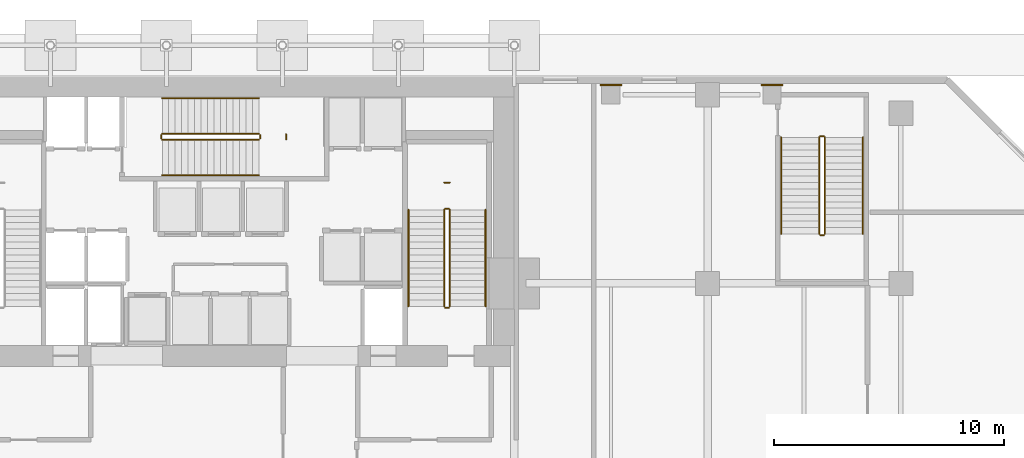
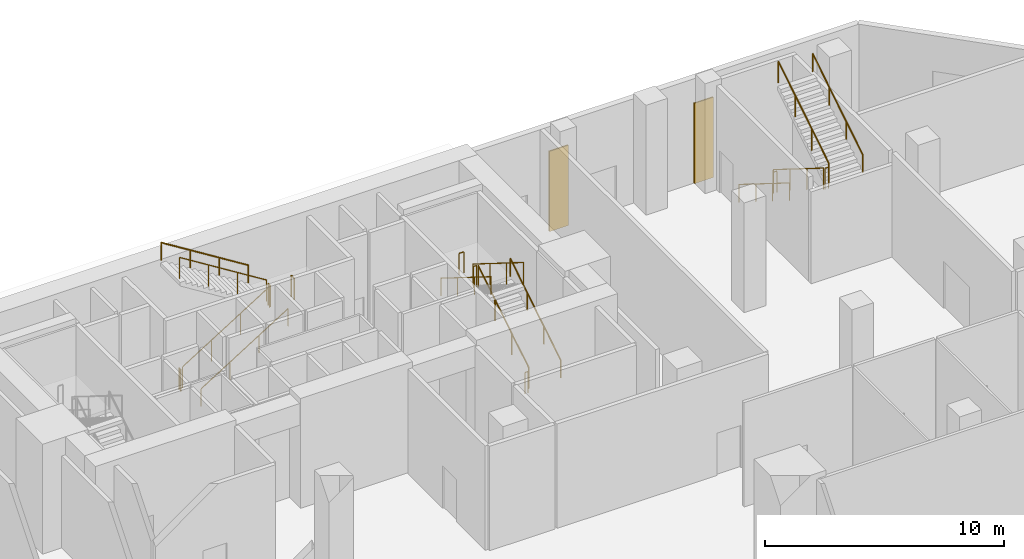
# One storey, part 34 of 35: 20 railings, 2 coverings.
"""IFC4 building model written with IfcOpenShell, lengths in metres."""

import ifcopenshell
import ifcopenshell.guid

model = None  # the IFC model being written
_history = None  # IfcOwnerHistory: only IFC2X3 demands one
_inside = {}  # id of a spatial element -> (the spatial element, [elements in it])
_under = {}  # id of a project, library or spatial element -> (it, [spatial elements below it])
_declared = {}  # id of a project -> (the project, [libraries it declares])
_typed = {}  # id of a type object -> (the type object, [elements of that type])
_made_of = {}  # id of a material, layer set ... -> (it, [elements and type objects made of it])


def new_model(schema):
    """Start an empty IFC model of exactly this schema.

    Asked for "IFC4X3", IfcOpenShell would pick the latest addendum, in which some entities
    have other attributes; the version numbers below select the first issue.
    IFC2X3 requires an IfcOwnerHistory on every rooted entity: one is made here for all.
    """
    global model, _history
    if schema == "IFC4X3":
        model = ifcopenshell.file(schema_version=(4, 3, 0, 0))
    else:
        model = ifcopenshell.file(schema=schema)
    _inside.clear()
    _under.clear()
    _declared.clear()
    _typed.clear()
    _made_of.clear()
    _history = None
    if model.schema == "IFC2X3":
        org = make("IfcOrganization", Name="unknown")
        user = make(
            "IfcPersonAndOrganization",
            ThePerson=make("IfcPerson", FamilyName="unknown"),
            TheOrganization=org,
        )
        app = make(
            "IfcApplication",
            ApplicationDeveloper=org,
            Version="unknown",
            ApplicationFullName="unknown",
            ApplicationIdentifier="unknown",
        )
        _history = make(
            "IfcOwnerHistory",
            OwningUser=user,
            OwningApplication=app,
            ChangeAction="ADDED",
            CreationDate=0,
        )
    return model


def make(cls, **values):
    """One entity of the class cls with the attributes given. An attribute that is None is left unset."""
    return model.create_entity(
        cls, **{name: value for name, value in values.items() if value is not None}
    )


def rooted(cls, **values):
    """An entity with a GlobalId (a new one), such as an element, a storey or a relation."""
    return make(cls, GlobalId=ifcopenshell.guid.new(), OwnerHistory=_history, **values)


def si_unit(unit_type, name, prefix=None):
    """IfcSIUnit, for example si_unit("LENGTHUNIT", "METRE", prefix="MILLI")."""
    return make("IfcSIUnit", UnitType=unit_type, Prefix=prefix, Name=name)


def assignment(units):
    """IfcUnitAssignment: the units of a project."""
    return None if units is None else make("IfcUnitAssignment", Units=units)


def point(xyz):
    """IfcCartesianPoint."""
    return None if xyz is None else make("IfcCartesianPoint", Coordinates=xyz)


def direction(xyz):
    """IfcDirection."""
    return None if xyz is None else make("IfcDirection", DirectionRatios=xyz)


def frame(location, z_axis=None, x_axis=None):
    """IfcAxis2Placement3D, a coordinate frame: its origin and axes. An axis left out is left unset."""
    return make(
        "IfcAxis2Placement3D",
        Location=point(location),
        Axis=direction(z_axis),
        RefDirection=direction(x_axis),
    )


def frame_2d(location, x_axis=None):
    """IfcAxis2Placement2D, a coordinate frame in the plane: its origin and x axis."""
    return make(
        "IfcAxis2Placement2D", Location=point(location), RefDirection=direction(x_axis)
    )


def origin():
    """The frame at (0, 0, 0) with its axes left unset."""
    return frame((0.0, 0.0, 0.0))


def origin_2d():
    """The frame at (0, 0) in the plane with its x axis left unset."""
    return frame_2d((0.0, 0.0))


def place(relative_to, where):
    """IfcLocalPlacement: puts the frame where relative to a parent placement (None: the world)."""
    return make(
        "IfcLocalPlacement", PlacementRelTo=relative_to, RelativePlacement=where
    )


def context(
    kind, dimensions, precision=None, world=None, true_north=None, identifier=None
):
    """IfcGeometricRepresentationContext, for example the 3D "Model" context."""
    return make(
        "IfcGeometricRepresentationContext",
        ContextIdentifier=identifier,
        ContextType=kind,
        CoordinateSpaceDimension=dimensions,
        Precision=precision,
        WorldCoordinateSystem=world,
        TrueNorth=true_north,
    )


def subcontext(parent, identifier, kind, view, scale=None):
    """IfcGeometricRepresentationSubContext, for example "Body" below "Model"."""
    return make(
        "IfcGeometricRepresentationSubContext",
        ContextIdentifier=identifier,
        ContextType=kind,
        ParentContext=parent,
        TargetScale=scale,
        TargetView=view,
    )


def project(units=None, contexts=None):
    """IfcProject with its units and contexts."""
    return rooted(
        "IfcProject",
        Name="project",
        RepresentationContexts=contexts,
        UnitsInContext=assignment(units),
    )


def spatial(cls, under=None, at=None, **own):
    """A site, building, storey or space (cls), placed at a placement, below another one or the project."""
    s = rooted(cls, ObjectPlacement=at, **own)
    if under is not None:
        _under.setdefault(under.id(), (under, []))[1].append(s)
    return s


def profile(cls, at=None, kind="AREA", **sizes):
    """A parametric profile (cls). Its sizes go by their IFC names, for example OverallWidth=200.0."""
    return make(cls, ProfileType=kind, Position=at, **sizes)


def rectangle(**sizes):
    """IfcRectangleProfileDef."""
    return profile("IfcRectangleProfileDef", **sizes)


def circle(**sizes):
    """IfcCircleProfileDef."""
    return profile("IfcCircleProfileDef", **sizes)


def extrude(swept, where, along, depth):
    """IfcExtrudedAreaSolid: the profile swept, set in the frame where, extruded along a direction by depth."""
    return make(
        "IfcExtrudedAreaSolid",
        SweptArea=swept,
        Position=where,
        ExtrudedDirection=direction(along),
        Depth=depth,
    )


def shape(context_of_items, identifier, shape_type, items):
    """IfcShapeRepresentation: the items that make up one representation, for example the "Body"."""
    return make(
        "IfcShapeRepresentation",
        ContextOfItems=context_of_items,
        RepresentationIdentifier=identifier,
        RepresentationType=shape_type,
        Items=items,
    )


def material(Name=None, Category=None):
    """IfcMaterial."""
    return make("IfcMaterial", Name=Name, Category=Category)


def layer(
    of_material, thickness, ventilated=None, Name=None, Category=None, Priority=None
):
    """IfcMaterialLayer: one layer of a wall or slab, of a material (None: an air gap)."""
    return make(
        "IfcMaterialLayer",
        Material=of_material,
        LayerThickness=thickness,
        IsVentilated=ventilated,
        Name=Name,
        Category=Category,
        Priority=Priority,
    )


def layer_set(layers, Name=None):
    """IfcMaterialLayerSet."""
    return make("IfcMaterialLayerSet", MaterialLayers=layers, LayerSetName=Name)


def made_of(thing, what):
    """Note that an element or type object is made of a material, layer set ...; save() writes the relation."""
    if what is not None:
        _made_of.setdefault(what.id(), (what, []))[1].append(thing)
    return thing


def type_object(cls, material=None, **own):
    """A type object (cls), such as IfcWallType, which elements share."""
    return made_of(rooted(cls, **own), material)


def element(
    cls,
    number,
    at=None,
    inside=None,
    cuts=None,
    type_object=None,
    material=None,
    context=None,
    identifier="Body",
    shape_type=None,
    held_by="IfcProductDefinitionShape",
    body=None,
    shapes=None,
    **own,
):
    """One element of the class cls, such as IfcWall. Its Tag is "e" and its number.

    at: its placement. inside: the storey or other place that contains it. cuts: it is an
    opening in that element (IfcRelVoidsElement). A single representation is given by context,
    identifier, shape_type and body (its items); several are given by shapes. held_by: the class
    of the entity that holds the representations. save() writes the other relations.
    """
    e = rooted(cls, Tag="e%d" % number, ObjectPlacement=at, **own)
    if body is not None:
        shapes = [shape(context, identifier, shape_type, body)]
    if shapes is not None:
        e.Representation = make(held_by, Representations=shapes)
    if inside is not None:
        _inside.setdefault(inside.id(), (inside, []))[1].append(e)
    if cuts is not None:
        rooted(
            "IfcRelVoidsElement", RelatingBuildingElement=cuts, RelatedOpeningElement=e
        )
    if type_object is not None:
        _typed.setdefault(type_object.id(), (type_object, []))[1].append(e)
    return made_of(e, material)


def aggregate(whole, parts):
    """IfcRelAggregates: a whole, such as a stair, and the parts it consists of."""
    return rooted("IfcRelAggregates", RelatingObject=whole, RelatedObjects=parts)


def save(model, path):
    """Write the relations noted so far, then the file.

    IfcRelAggregates (storeys below a building ...), IfcRelContainedInSpatialStructure (elements
    in a storey), IfcRelDefinesByType, IfcRelAssociatesMaterial and IfcRelDeclares: one each for
    every whole, place, type object, material and project.
    """
    for whole, parts in _under.values():
        aggregate(whole, parts)
    for where, things in _inside.values():
        rooted(
            "IfcRelContainedInSpatialStructure",
            RelatedElements=things,
            RelatingStructure=where,
        )
    for kind, things in _typed.values():
        rooted("IfcRelDefinesByType", RelatedObjects=things, RelatingType=kind)
    for what, things in _made_of.values():
        rooted("IfcRelAssociatesMaterial", RelatedObjects=things, RelatingMaterial=what)
    for by, libraries in _declared.values():
        rooted("IfcRelDeclares", RelatingContext=by, RelatedDefinitions=libraries)
    model.write(path)


model = new_model("IFC4")

# Units and contexts
model_context = context("Model", 3, precision=1e-05, world=origin(), true_north=direction((0.0, 1.0)))
body_context = subcontext(model_context, "Body", "Model", "MODEL_VIEW")
ifc_project = project(units=[si_unit("LENGTHUNIT", "METRE"), si_unit("AREAUNIT", "SQUARE_METRE"), si_unit("VOLUMEUNIT", "CUBIC_METRE"), si_unit("PLANEANGLEUNIT", "RADIAN"), si_unit("MASSUNIT", "GRAM", prefix="KILO")], contexts=[model_context])

# Site, building, storey
site_placement = place(None, origin())
site = spatial("IfcSite", under=ifc_project, at=site_placement, CompositionType="ELEMENT")
building_placement = place(site_placement, origin())
building = spatial("IfcBuilding", under=site, at=building_placement, Name="Maruvema Waterfront Hotel and Observation Tower", CompositionType="ELEMENT")
storey_placement = place(building_placement, origin())
storey = spatial("IfcBuildingStorey", under=building, at=storey_placement, Name="L00", CompositionType="ELEMENT", Elevation=0.0)

# Coverings
ifc_material_1 = material(Name="Honed Pernambuco warm cream granite", Category="masonry")
ifc_layer = layer(ifc_material_1, 0.044921875, Name="Podium Column Honed Granite Cladding Panel 45 mm")
ifc_layer_set = layer_set([ifc_layer], Name="Honed Pernambuco warm cream granite")
covering_type = type_object("IfcCoveringType", Name="Podium Column Honed Granite Cladding Panel 45 mm", PredefinedType="CLADDING", material=ifc_layer_set)
for number, where, z_axis, x_axis, name in (
    (1, (54.60009765625, 53.6201171875, 0.050048828125), (0.0, 0.0, 1.0), (1.0, 0.0, 0.0), "L00 Landward Pilaster Granite Cladding N3"),
    (2, (61.60009765625, 53.6201171875, 0.050048828125), (0.0, 0.0, 1.0), (1.0, 0.0, 0.0), "L00 Landward Pilaster Granite Cladding N4"),
):
    element("IfcCovering", number, at=place(storey_placement, frame(where, z_axis=z_axis, x_axis=x_axis)), inside=storey, type_object=covering_type, Name=name, PredefinedType="CLADDING", context=body_context, shape_type="SweptSolid", body=[
        extrude(rectangle(XDim=0.919921875, YDim=0.06005859375, at=origin_2d()), origin(), (0.0, 0.0, 1.0), 4.10009765625),
    ])

# Railings
ifc_material_2 = material(Name="Brushed stainless steel Grade 316", Category="steel")
railing_type_1 = type_object("IfcRailingType", Name="Ramp Continuous Wall Handrail 920 mm", PredefinedType="HANDRAIL", material=ifc_material_2)
railing_1_placement = place(storey_placement, frame((35.10009765625, 49.699951171875, 0.175048828125)))
element("IfcRailing", 3, at=railing_1_placement, inside=storey, type_object=railing_type_1, Name="L00 ST-02 stair handrail 1", PredefinedType="HANDRAIL", context=body_context, shape_type="SweptSolid", body=[
    extrude(circle(Radius=0.02392578125, at=origin_2d()), frame((0.0, 0.0, 0.89599609375), z_axis=(0.847995534698, 0.0, 0.530003370869), x_axis=(0.0, 1.0, 0.0)), (0.0, 0.0, 1.0), 4.952880859375),
    extrude(circle(Radius=0.02099609375, at=origin_2d()), origin(), (0.0, 0.0, 1.0), 0.871826171875),
    extrude(circle(Radius=0.02099609375, at=origin_2d()), frame((1.39990234375, 0.0, 0.875)), (0.0, 0.0, 1.0), 0.871826171875),
    extrude(circle(Radius=0.02099609375, at=origin_2d()), frame((2.800048828125, 0.0, 1.75)), (0.0, 0.0, 1.0), 0.871826171875),
    extrude(circle(Radius=0.02099609375, at=origin_2d()), frame((4.199951171875, 0.0, 2.625)), (0.0, 0.0, 1.0), 0.871826171875),
])
railing_2_placement = place(storey_placement, frame((39.300048828125, 53.050048828125, 2.97509765625)))
element("IfcRailing", 4, at=railing_2_placement, inside=storey, type_object=railing_type_1, Name="L00 ST-02 stair handrail 2", PredefinedType="HANDRAIL", context=body_context, shape_type="SweptSolid", body=[
    extrude(circle(Radius=0.02392578125, at=origin_2d()), frame((0.0, 0.0, 0.89599609375), z_axis=(-0.847995534698, 0.0, 0.530003370869), x_axis=(0.0, -1.0, 0.0)), (0.0, 0.0, 1.0), 4.952880859375),
    extrude(circle(Radius=0.02099609375, at=origin_2d()), origin(), (0.0, 0.0, 1.0), 0.871826171875),
    extrude(circle(Radius=0.02099609375, at=origin_2d()), frame((-1.39990234375, 0.0, 0.875)), (0.0, 0.0, 1.0), 0.871826171875),
    extrude(circle(Radius=0.02099609375, at=origin_2d()), frame((-2.800048828125, 0.0, 1.75)), (0.0, 0.0, 1.0), 0.871826171875),
    extrude(circle(Radius=0.02099609375, at=origin_2d()), frame((-4.199951171875, 0.0, 2.625)), (0.0, 0.0, 1.0), 0.871826171875),
])
railing_3_placement = place(storey_placement, frame((49.14990234375, 44.0, 0.175048828125)))
element("IfcRailing", 5, at=railing_3_placement, inside=storey, type_object=railing_type_1, Name="L00 ST-03 stair handrail 1", PredefinedType="HANDRAIL", context=body_context, shape_type="SweptSolid", body=[
    extrude(circle(Radius=0.02392578125, at=origin_2d()), frame((0.0, 0.0, 0.89599609375), z_axis=(0.0, 0.847995534698, 0.530003370869), x_axis=(-1.0, 0.0, 0.0)), (0.0, 0.0, 1.0), 4.952880859375),
    extrude(circle(Radius=0.02099609375, at=origin_2d()), origin(), (0.0, 0.0, 1.0), 0.871826171875),
    extrude(circle(Radius=0.02099609375, at=origin_2d()), frame((0.0, 1.39990234375, 0.875)), (0.0, 0.0, 1.0), 0.871826171875),
    extrude(circle(Radius=0.02099609375, at=origin_2d()), frame((0.0, 2.800048828125, 1.75)), (0.0, 0.0, 1.0), 0.871826171875),
    extrude(circle(Radius=0.02099609375, at=origin_2d()), frame((0.0, 4.199951171875, 2.625)), (0.0, 0.0, 1.0), 0.871826171875),
])
railing_4_placement = place(storey_placement, frame((45.800048828125, 48.199951171875, 2.97509765625)))
element("IfcRailing", 6, at=railing_4_placement, inside=storey, type_object=railing_type_1, Name="L00 ST-03 stair handrail 2", PredefinedType="HANDRAIL", context=body_context, shape_type="SweptSolid", body=[
    extrude(circle(Radius=0.02392578125, at=origin_2d()), frame((0.0, 0.0, 0.89599609375), z_axis=(0.0, -0.847995534698, 0.530003370869), x_axis=(1.0, 0.0, 0.0)), (0.0, 0.0, 1.0), 4.952880859375),
    extrude(circle(Radius=0.02099609375, at=origin_2d()), origin(), (0.0, 0.0, 1.0), 0.871826171875),
    extrude(circle(Radius=0.02099609375, at=origin_2d()), frame((0.0, -1.39990234375, 0.875)), (0.0, 0.0, 1.0), 0.871826171875),
    extrude(circle(Radius=0.02099609375, at=origin_2d()), frame((0.0, -2.800048828125, 1.75)), (0.0, 0.0, 1.0), 0.871826171875),
    extrude(circle(Radius=0.02099609375, at=origin_2d()), frame((0.0, -4.199951171875, 2.625)), (0.0, 0.0, 1.0), 0.871826171875),
])
railing_5_placement = place(storey_placement, frame((62.0, 51.35009765625, 0.175048828125)))
element("IfcRailing", 7, at=railing_5_placement, inside=storey, type_object=railing_type_1, Name="L00 ST-05 stair handrail 1", PredefinedType="HANDRAIL", context=body_context, shape_type="SweptSolid", body=[
    extrude(circle(Radius=0.02392578125, at=origin_2d()), frame((0.0, 0.0, 0.89599609375), z_axis=(0.0, -0.848009380541, 0.529981217134), x_axis=(1.0, 0.0, 0.0)), (0.0, 0.0, 1.0), 4.953125),
    extrude(circle(Radius=0.02099609375, at=origin_2d()), origin(), (0.0, 0.0, 1.0), 0.871826171875),
    extrude(circle(Radius=0.02099609375, at=origin_2d()), frame((0.0, -1.400146484375, 0.875)), (0.0, 0.0, 1.0), 0.871826171875),
    extrude(circle(Radius=0.02099609375, at=origin_2d()), frame((0.0, -2.800048828125, 1.75)), (0.0, 0.0, 1.0), 0.871826171875),
    extrude(circle(Radius=0.02099609375, at=origin_2d()), frame((0.0, -4.2001953125, 2.625)), (0.0, 0.0, 1.0), 0.871826171875),
])
railing_6_placement = place(storey_placement, frame((65.550048828125, 47.14990234375, 2.97509765625)))
element("IfcRailing", 8, at=railing_6_placement, inside=storey, type_object=railing_type_1, Name="L00 ST-05 stair handrail 2", PredefinedType="HANDRAIL", context=body_context, shape_type="SweptSolid", body=[
    extrude(circle(Radius=0.02392578125, at=origin_2d()), frame((0.0, 0.0, 0.89599609375), z_axis=(0.0, 0.848009380541, 0.529981217134), x_axis=(-1.0, 0.0, 0.0)), (0.0, 0.0, 1.0), 4.953125),
    extrude(circle(Radius=0.02099609375, at=origin_2d()), origin(), (0.0, 0.0, 1.0), 0.871826171875),
    extrude(circle(Radius=0.02099609375, at=origin_2d()), frame((0.0, 1.400146484375, 0.875)), (0.0, 0.0, 1.0), 0.871826171875),
    extrude(circle(Radius=0.02099609375, at=origin_2d()), frame((0.0, 2.800048828125, 1.75)), (0.0, 0.0, 1.0), 0.871826171875),
    extrude(circle(Radius=0.02099609375, at=origin_2d()), frame((0.0, 4.2001953125, 2.625)), (0.0, 0.0, 1.0), 0.871826171875),
])
ifc_material_3 = material(Name="Brushed stainless steel Grade 316", Category="steel")
railing_type_2 = type_object("IfcRailingType", Name="Ramp and Terrace Guard Balustrade 1100 mm", PredefinedType="BALUSTRADE", material=ifc_material_3)
railing_7_placement = place(storey_placement, frame((35.10009765625, 51.25, 0.175048828125)))
element("IfcRailing", 9, at=railing_7_placement, inside=storey, type_object=railing_type_2, Name="L00 ST-02 stair guard 1", PredefinedType="BALUSTRADE", context=body_context, shape_type="SweptSolid", body=[
    extrude(circle(Radius=0.02392578125, at=origin_2d()), frame((0.0, 0.0, 1.076171875), z_axis=(0.847995534698, 0.0, 0.530003370869), x_axis=(0.0, 1.0, 0.0)), (0.0, 0.0, 1.0), 4.952880859375),
    extrude(circle(Radius=0.02099609375, at=origin_2d()), origin(), (0.0, 0.0, 1.0), 1.052001953125),
    extrude(circle(Radius=0.02099609375, at=origin_2d()), frame((1.39990234375, 0.0, 0.875)), (0.0, 0.0, 1.0), 1.052001953125),
    extrude(circle(Radius=0.02099609375, at=origin_2d()), frame((2.800048828125, 0.0, 1.75)), (0.0, 0.0, 1.0), 1.052001953125),
    extrude(circle(Radius=0.02099609375, at=origin_2d()), frame((4.199951171875, 0.0, 2.625)), (0.0, 0.0, 1.0), 1.052001953125),
])
railing_8_placement = place(storey_placement, frame((39.35009765625, 51.300048828125, 2.800048828125)))
element("IfcRailing", 10, at=railing_8_placement, inside=storey, type_object=railing_type_2, Name="L00 ST-02 stair guard 2", PredefinedType="BALUSTRADE", context=body_context, shape_type="SweptSolid", body=[
    extrude(circle(Radius=0.02392578125, at=origin_2d()), frame((0.0, 0.0, 1.076171875), z_axis=(0.0, 1.0, 0.0), x_axis=(-1.0, 0.0, 0.0)), (0.0, 0.0, 1.0), 0.14990234375),
    extrude(circle(Radius=0.02099609375, at=origin_2d()), origin(), (0.0, 0.0, 1.0), 1.052001953125),
    extrude(circle(Radius=0.02099609375, at=origin_2d()), frame((0.0, 0.14990234375, 0.0)), (0.0, 0.0, 1.0), 1.052001953125),
])
railing_9_placement = place(storey_placement, frame((39.300048828125, 51.5, 2.97509765625)))
element("IfcRailing", 11, at=railing_9_placement, inside=storey, type_object=railing_type_2, Name="L00 ST-02 stair guard 3", PredefinedType="BALUSTRADE", context=body_context, shape_type="SweptSolid", body=[
    extrude(circle(Radius=0.02392578125, at=origin_2d()), frame((0.0, 0.0, 1.076171875), z_axis=(-0.847995534698, 0.0, 0.530003370869), x_axis=(0.0, -1.0, 0.0)), (0.0, 0.0, 1.0), 4.952880859375),
    extrude(circle(Radius=0.02099609375, at=origin_2d()), origin(), (0.0, 0.0, 1.0), 1.052001953125),
    extrude(circle(Radius=0.02099609375, at=origin_2d()), frame((-1.39990234375, 0.0, 0.875)), (0.0, 0.0, 1.0), 1.052001953125),
    extrude(circle(Radius=0.02099609375, at=origin_2d()), frame((-2.800048828125, 0.0, 1.75)), (0.0, 0.0, 1.0), 1.052001953125),
    extrude(circle(Radius=0.02099609375, at=origin_2d()), frame((-4.199951171875, 0.0, 2.625)), (0.0, 0.0, 1.0), 1.052001953125),
])
railing_10_placement = place(storey_placement, frame((35.050048828125, 51.300048828125, 0.0)))
element("IfcRailing", 12, at=railing_10_placement, inside=storey, type_object=railing_type_2, Name="L00 ST-02 stair guard 4", PredefinedType="BALUSTRADE", context=body_context, shape_type="SweptSolid", body=[
    extrude(circle(Radius=0.02392578125, at=origin_2d()), frame((0.0, 0.0, 1.076171875), z_axis=(0.0, 1.0, 0.0), x_axis=(-1.0, 0.0, 0.0)), (0.0, 0.0, 1.0), 0.14990234375),
    extrude(circle(Radius=0.02099609375, at=origin_2d()), origin(), (0.0, 0.0, 1.0), 1.052001953125),
    extrude(circle(Radius=0.02099609375, at=origin_2d()), frame((0.0, 0.14990234375, 0.0)), (0.0, 0.0, 1.0), 1.052001953125),
])
railing_11_placement = place(storey_placement, frame((40.47998046875, 51.260009765625, 2.800048828125)))
element("IfcRailing", 13, at=railing_11_placement, inside=storey, type_object=railing_type_2, Name="L00 ST-02 Half-Landing Slot Guard", PredefinedType="BALUSTRADE", context=body_context, shape_type="SweptSolid", body=[
    extrude(circle(Radius=0.02392578125, at=origin_2d()), frame((0.0, 0.0, 1.076171875), z_axis=(0.0, 1.0, 0.0), x_axis=(-1.0, 0.0, 0.0)), (0.0, 0.0, 1.0), 0.22998046875),
    extrude(circle(Radius=0.02099609375, at=origin_2d()), origin(), (0.0, 0.0, 1.0), 1.052001953125),
    extrude(circle(Radius=0.02099609375, at=origin_2d()), frame((0.0, 0.22998046875, 0.0)), (0.0, 0.0, 1.0), 1.052001953125),
])
railing_12_placement = place(storey_placement, frame((47.60009765625, 44.0, 0.175048828125)))
element("IfcRailing", 14, at=railing_12_placement, inside=storey, type_object=railing_type_2, Name="L00 ST-03 stair guard 1", PredefinedType="BALUSTRADE", context=body_context, shape_type="SweptSolid", body=[
    extrude(circle(Radius=0.02392578125, at=origin_2d()), frame((0.0, 0.0, 1.076171875), z_axis=(0.0, 0.847995534698, 0.530003370869), x_axis=(-1.0, 0.0, 0.0)), (0.0, 0.0, 1.0), 4.952880859375),
    extrude(circle(Radius=0.02099609375, at=origin_2d()), origin(), (0.0, 0.0, 1.0), 1.052001953125),
    extrude(circle(Radius=0.02099609375, at=origin_2d()), frame((0.0, 1.39990234375, 0.875)), (0.0, 0.0, 1.0), 1.052001953125),
    extrude(circle(Radius=0.02099609375, at=origin_2d()), frame((0.0, 2.800048828125, 1.75)), (0.0, 0.0, 1.0), 1.052001953125),
    extrude(circle(Radius=0.02099609375, at=origin_2d()), frame((0.0, 4.199951171875, 2.625)), (0.0, 0.0, 1.0), 1.052001953125),
])
railing_13_placement = place(storey_placement, frame((47.550048828125, 48.25, 2.800048828125)))
element("IfcRailing", 15, at=railing_13_placement, inside=storey, type_object=railing_type_2, Name="L00 ST-03 stair guard 2", PredefinedType="BALUSTRADE", context=body_context, shape_type="SweptSolid", body=[
    extrude(circle(Radius=0.02392578125, at=origin_2d()), frame((0.0, 0.0, 1.076171875), z_axis=(-1.0, 0.0, 0.0), x_axis=(0.0, -1.0, 0.0)), (0.0, 0.0, 1.0), 0.150146484375),
    extrude(circle(Radius=0.02099609375, at=origin_2d()), origin(), (0.0, 0.0, 1.0), 1.052001953125),
    extrude(circle(Radius=0.02099609375, at=origin_2d()), frame((-0.150146484375, 0.0, 0.0)), (0.0, 0.0, 1.0), 1.052001953125),
])
railing_14_placement = place(storey_placement, frame((47.35009765625, 48.199951171875, 2.97509765625)))
element("IfcRailing", 16, at=railing_14_placement, inside=storey, type_object=railing_type_2, Name="L00 ST-03 stair guard 3", PredefinedType="BALUSTRADE", context=body_context, shape_type="SweptSolid", body=[
    extrude(circle(Radius=0.02392578125, at=origin_2d()), frame((0.0, 0.0, 1.076171875), z_axis=(0.0, -0.847995534698, 0.530003370869), x_axis=(1.0, 0.0, 0.0)), (0.0, 0.0, 1.0), 4.952880859375),
    extrude(circle(Radius=0.02099609375, at=origin_2d()), origin(), (0.0, 0.0, 1.0), 1.052001953125),
    extrude(circle(Radius=0.02099609375, at=origin_2d()), frame((0.0, -1.39990234375, 0.875)), (0.0, 0.0, 1.0), 1.052001953125),
    extrude(circle(Radius=0.02099609375, at=origin_2d()), frame((0.0, -2.800048828125, 1.75)), (0.0, 0.0, 1.0), 1.052001953125),
    extrude(circle(Radius=0.02099609375, at=origin_2d()), frame((0.0, -4.199951171875, 2.625)), (0.0, 0.0, 1.0), 1.052001953125),
])
railing_15_placement = place(storey_placement, frame((47.550048828125, 43.949951171875, 0.0)))
element("IfcRailing", 17, at=railing_15_placement, inside=storey, type_object=railing_type_2, Name="L00 ST-03 stair guard 4", PredefinedType="BALUSTRADE", context=body_context, shape_type="SweptSolid", body=[
    extrude(circle(Radius=0.02392578125, at=origin_2d()), frame((0.0, 0.0, 1.076171875), z_axis=(-1.0, 0.0, 0.0), x_axis=(0.0, -1.0, 0.0)), (0.0, 0.0, 1.0), 0.150146484375),
    extrude(circle(Radius=0.02099609375, at=origin_2d()), origin(), (0.0, 0.0, 1.0), 1.052001953125),
    extrude(circle(Radius=0.02099609375, at=origin_2d()), frame((-0.150146484375, 0.0, 0.0)), (0.0, 0.0, 1.0), 1.052001953125),
])
railing_16_placement = place(storey_placement, frame((47.590087890625, 49.3798828125, 2.800048828125)))
element("IfcRailing", 18, at=railing_16_placement, inside=storey, type_object=railing_type_2, Name="L00 ST-03 Half-Landing Slot Guard", PredefinedType="BALUSTRADE", context=body_context, shape_type="SweptSolid", body=[
    extrude(circle(Radius=0.02392578125, at=origin_2d()), frame((0.0, 0.0, 1.076171875), z_axis=(-1.0, 0.0, 0.0), x_axis=(0.0, -1.0, 0.0)), (0.0, 0.0, 1.0), 0.22998046875),
    extrude(circle(Radius=0.02099609375, at=origin_2d()), origin(), (0.0, 0.0, 1.0), 1.052001953125),
    extrude(circle(Radius=0.02099609375, at=origin_2d()), frame((-0.22998046875, 0.0, 0.0)), (0.0, 0.0, 1.0), 1.052001953125),
])
railing_17_placement = place(storey_placement, frame((63.64990234375, 51.35009765625, 0.175048828125)))
element("IfcRailing", 19, at=railing_17_placement, inside=storey, type_object=railing_type_2, Name="L00 ST-05 stair guard 1", PredefinedType="BALUSTRADE", context=body_context, shape_type="SweptSolid", body=[
    extrude(circle(Radius=0.02392578125, at=origin_2d()), frame((0.0, 0.0, 1.076171875), z_axis=(0.0, -0.848009380541, 0.529981217134), x_axis=(1.0, 0.0, 0.0)), (0.0, 0.0, 1.0), 4.953125),
    extrude(circle(Radius=0.02099609375, at=origin_2d()), origin(), (0.0, 0.0, 1.0), 1.052001953125),
    extrude(circle(Radius=0.02099609375, at=origin_2d()), frame((0.0, -1.400146484375, 0.875)), (0.0, 0.0, 1.0), 1.052001953125),
    extrude(circle(Radius=0.02099609375, at=origin_2d()), frame((0.0, -2.800048828125, 1.75)), (0.0, 0.0, 1.0), 1.052001953125),
    extrude(circle(Radius=0.02099609375, at=origin_2d()), frame((0.0, -4.2001953125, 2.625)), (0.0, 0.0, 1.0), 1.052001953125),
])
railing_18_placement = place(storey_placement, frame((63.699951171875, 47.10009765625, 2.800048828125)))
element("IfcRailing", 20, at=railing_18_placement, inside=storey, type_object=railing_type_2, Name="L00 ST-05 stair guard 2", PredefinedType="BALUSTRADE", context=body_context, shape_type="SweptSolid", body=[
    extrude(circle(Radius=0.02392578125, at=origin_2d()), frame((0.0, 0.0, 1.076171875), z_axis=(1.0, 0.0, 0.0), x_axis=(0.0, 1.0, 0.0)), (0.0, 0.0, 1.0), 0.150146484375),
    extrude(circle(Radius=0.02099609375, at=origin_2d()), origin(), (0.0, 0.0, 1.0), 1.052001953125),
    extrude(circle(Radius=0.02099609375, at=origin_2d()), frame((0.150146484375, 0.0, 0.0)), (0.0, 0.0, 1.0), 1.052001953125),
])
railing_19_placement = place(storey_placement, frame((63.89990234375, 47.14990234375, 2.97509765625)))
element("IfcRailing", 21, at=railing_19_placement, inside=storey, type_object=railing_type_2, Name="L00 ST-05 stair guard 3", PredefinedType="BALUSTRADE", context=body_context, shape_type="SweptSolid", body=[
    extrude(circle(Radius=0.02392578125, at=origin_2d()), frame((0.0, 0.0, 1.076171875), z_axis=(0.0, 0.848009380541, 0.529981217134), x_axis=(-1.0, 0.0, 0.0)), (0.0, 0.0, 1.0), 4.953125),
    extrude(circle(Radius=0.02099609375, at=origin_2d()), origin(), (0.0, 0.0, 1.0), 1.052001953125),
    extrude(circle(Radius=0.02099609375, at=origin_2d()), frame((0.0, 1.400146484375, 0.875)), (0.0, 0.0, 1.0), 1.052001953125),
    extrude(circle(Radius=0.02099609375, at=origin_2d()), frame((0.0, 2.800048828125, 1.75)), (0.0, 0.0, 1.0), 1.052001953125),
    extrude(circle(Radius=0.02099609375, at=origin_2d()), frame((0.0, 4.2001953125, 2.625)), (0.0, 0.0, 1.0), 1.052001953125),
])
railing_20_placement = place(storey_placement, frame((63.699951171875, 51.39990234375, 0.0)))
element("IfcRailing", 22, at=railing_20_placement, inside=storey, type_object=railing_type_2, Name="L00 ST-05 stair guard 4", PredefinedType="BALUSTRADE", context=body_context, shape_type="SweptSolid", body=[
    extrude(circle(Radius=0.02392578125, at=origin_2d()), frame((0.0, 0.0, 1.076171875), z_axis=(1.0, 0.0, 0.0), x_axis=(0.0, 1.0, 0.0)), (0.0, 0.0, 1.0), 0.150146484375),
    extrude(circle(Radius=0.02099609375, at=origin_2d()), origin(), (0.0, 0.0, 1.0), 1.052001953125),
    extrude(circle(Radius=0.02099609375, at=origin_2d()), frame((0.150146484375, 0.0, 0.0)), (0.0, 0.0, 1.0), 1.052001953125),
])

save(model, "model.ifc")
